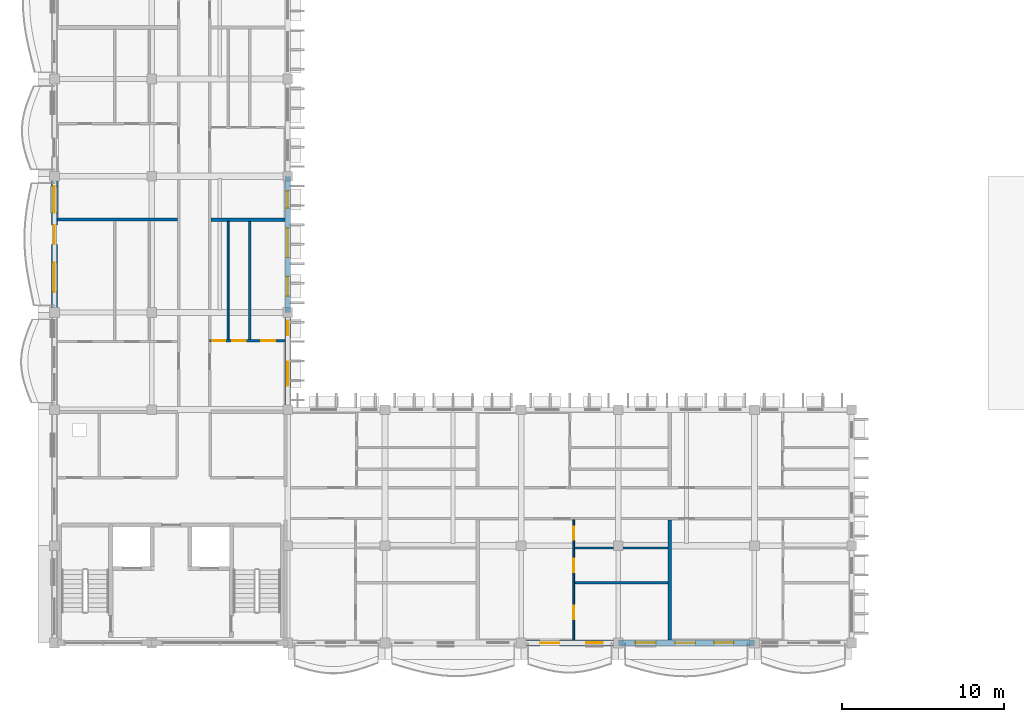
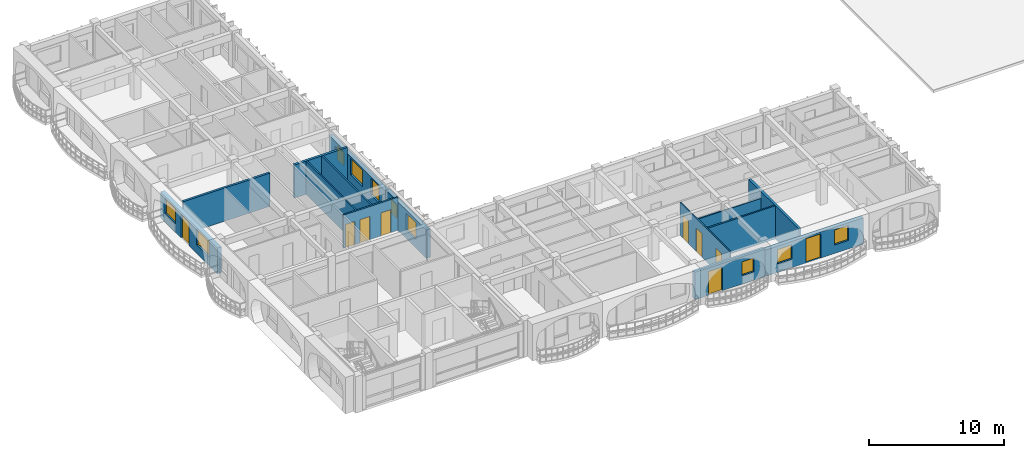
# One storey, part 43 of 101: 14 walls, 10 windows, 9 doors, 19 openings.
"""IFC4 building model written with IfcOpenShell, lengths in metres."""

import ifcopenshell
import ifcopenshell.guid

model = None  # the IFC model being written
_history = None  # IfcOwnerHistory: only IFC2X3 demands one
_inside = {}  # id of a spatial element -> (the spatial element, [elements in it])
_under = {}  # id of a project, library or spatial element -> (it, [spatial elements below it])
_declared = {}  # id of a project -> (the project, [libraries it declares])
_typed = {}  # id of a type object -> (the type object, [elements of that type])
_made_of = {}  # id of a material, layer set ... -> (it, [elements and type objects made of it])


def new_model(schema):
    """Start an empty IFC model of exactly this schema.

    Asked for "IFC4X3", IfcOpenShell would pick the latest addendum, in which some entities
    have other attributes; the version numbers below select the first issue.
    IFC2X3 requires an IfcOwnerHistory on every rooted entity: one is made here for all.
    """
    global model, _history
    if schema == "IFC4X3":
        model = ifcopenshell.file(schema_version=(4, 3, 0, 0))
    else:
        model = ifcopenshell.file(schema=schema)
    _inside.clear()
    _under.clear()
    _declared.clear()
    _typed.clear()
    _made_of.clear()
    _history = None
    if model.schema == "IFC2X3":
        org = make("IfcOrganization", Name="unknown")
        user = make(
            "IfcPersonAndOrganization",
            ThePerson=make("IfcPerson", FamilyName="unknown"),
            TheOrganization=org,
        )
        app = make(
            "IfcApplication",
            ApplicationDeveloper=org,
            Version="unknown",
            ApplicationFullName="unknown",
            ApplicationIdentifier="unknown",
        )
        _history = make(
            "IfcOwnerHistory",
            OwningUser=user,
            OwningApplication=app,
            ChangeAction="ADDED",
            CreationDate=0,
        )
    return model


def make(cls, **values):
    """One entity of the class cls with the attributes given. An attribute that is None is left unset."""
    return model.create_entity(
        cls, **{name: value for name, value in values.items() if value is not None}
    )


def rooted(cls, **values):
    """An entity with a GlobalId (a new one), such as an element, a storey or a relation."""
    return make(cls, GlobalId=ifcopenshell.guid.new(), OwnerHistory=_history, **values)


def si_unit(unit_type, name, prefix=None):
    """IfcSIUnit, for example si_unit("LENGTHUNIT", "METRE", prefix="MILLI")."""
    return make("IfcSIUnit", UnitType=unit_type, Prefix=prefix, Name=name)


def assignment(units):
    """IfcUnitAssignment: the units of a project."""
    return None if units is None else make("IfcUnitAssignment", Units=units)


def point(xyz):
    """IfcCartesianPoint."""
    return None if xyz is None else make("IfcCartesianPoint", Coordinates=xyz)


def direction(xyz):
    """IfcDirection."""
    return None if xyz is None else make("IfcDirection", DirectionRatios=xyz)


def frame(location, z_axis=None, x_axis=None):
    """IfcAxis2Placement3D, a coordinate frame: its origin and axes. An axis left out is left unset."""
    return make(
        "IfcAxis2Placement3D",
        Location=point(location),
        Axis=direction(z_axis),
        RefDirection=direction(x_axis),
    )


def frame_2d(location, x_axis=None):
    """IfcAxis2Placement2D, a coordinate frame in the plane: its origin and x axis."""
    return make(
        "IfcAxis2Placement2D", Location=point(location), RefDirection=direction(x_axis)
    )


def origin():
    """The frame at (0, 0, 0) with its axes left unset."""
    return frame((0.0, 0.0, 0.0))


def place(relative_to, where):
    """IfcLocalPlacement: puts the frame where relative to a parent placement (None: the world)."""
    return make(
        "IfcLocalPlacement", PlacementRelTo=relative_to, RelativePlacement=where
    )


def context(
    kind, dimensions, precision=None, world=None, true_north=None, identifier=None
):
    """IfcGeometricRepresentationContext, for example the 3D "Model" context."""
    return make(
        "IfcGeometricRepresentationContext",
        ContextIdentifier=identifier,
        ContextType=kind,
        CoordinateSpaceDimension=dimensions,
        Precision=precision,
        WorldCoordinateSystem=world,
        TrueNorth=true_north,
    )


def subcontext(parent, identifier, kind, view, scale=None):
    """IfcGeometricRepresentationSubContext, for example "Body" below "Model"."""
    return make(
        "IfcGeometricRepresentationSubContext",
        ContextIdentifier=identifier,
        ContextType=kind,
        ParentContext=parent,
        TargetScale=scale,
        TargetView=view,
    )


def project(units=None, contexts=None):
    """IfcProject with its units and contexts."""
    return rooted(
        "IfcProject",
        Name="project",
        RepresentationContexts=contexts,
        UnitsInContext=assignment(units),
    )


def spatial(cls, under=None, at=None, **own):
    """A site, building, storey or space (cls), placed at a placement, below another one or the project."""
    s = rooted(cls, ObjectPlacement=at, **own)
    if under is not None:
        _under.setdefault(under.id(), (under, []))[1].append(s)
    return s


def profile(cls, at=None, kind="AREA", **sizes):
    """A parametric profile (cls). Its sizes go by their IFC names, for example OverallWidth=200.0."""
    return make(cls, ProfileType=kind, Position=at, **sizes)


def rectangle(**sizes):
    """IfcRectangleProfileDef."""
    return profile("IfcRectangleProfileDef", **sizes)


def extrude(swept, where, along, depth):
    """IfcExtrudedAreaSolid: the profile swept, set in the frame where, extruded along a direction by depth."""
    return make(
        "IfcExtrudedAreaSolid",
        SweptArea=swept,
        Position=where,
        ExtrudedDirection=direction(along),
        Depth=depth,
    )


def shape(context_of_items, identifier, shape_type, items):
    """IfcShapeRepresentation: the items that make up one representation, for example the "Body"."""
    return make(
        "IfcShapeRepresentation",
        ContextOfItems=context_of_items,
        RepresentationIdentifier=identifier,
        RepresentationType=shape_type,
        Items=items,
    )


def material(Name=None, Category=None):
    """IfcMaterial."""
    return make("IfcMaterial", Name=Name, Category=Category)


def layer(
    of_material, thickness, ventilated=None, Name=None, Category=None, Priority=None
):
    """IfcMaterialLayer: one layer of a wall or slab, of a material (None: an air gap)."""
    return make(
        "IfcMaterialLayer",
        Material=of_material,
        LayerThickness=thickness,
        IsVentilated=ventilated,
        Name=Name,
        Category=Category,
        Priority=Priority,
    )


def layer_set(layers, Name=None):
    """IfcMaterialLayerSet."""
    return make("IfcMaterialLayerSet", MaterialLayers=layers, LayerSetName=Name)


def made_of(thing, what):
    """Note that an element or type object is made of a material, layer set ...; save() writes the relation."""
    if what is not None:
        _made_of.setdefault(what.id(), (what, []))[1].append(thing)
    return thing


def type_object(cls, material=None, **own):
    """A type object (cls), such as IfcWallType, which elements share."""
    return made_of(rooted(cls, **own), material)


def element(
    cls,
    number,
    at=None,
    inside=None,
    cuts=None,
    type_object=None,
    material=None,
    context=None,
    identifier="Body",
    shape_type=None,
    held_by="IfcProductDefinitionShape",
    body=None,
    shapes=None,
    **own,
):
    """One element of the class cls, such as IfcWall. Its Tag is "e" and its number.

    at: its placement. inside: the storey or other place that contains it. cuts: it is an
    opening in that element (IfcRelVoidsElement). A single representation is given by context,
    identifier, shape_type and body (its items); several are given by shapes. held_by: the class
    of the entity that holds the representations. save() writes the other relations.
    """
    e = rooted(cls, Tag="e%d" % number, ObjectPlacement=at, **own)
    if body is not None:
        shapes = [shape(context, identifier, shape_type, body)]
    if shapes is not None:
        e.Representation = make(held_by, Representations=shapes)
    if inside is not None:
        _inside.setdefault(inside.id(), (inside, []))[1].append(e)
    if cuts is not None:
        rooted(
            "IfcRelVoidsElement", RelatingBuildingElement=cuts, RelatedOpeningElement=e
        )
    if type_object is not None:
        _typed.setdefault(type_object.id(), (type_object, []))[1].append(e)
    return made_of(e, material)


def fill(opening, filler):
    """IfcRelFillsElement: the door or window that sits in an opening."""
    return rooted(
        "IfcRelFillsElement",
        RelatingOpeningElement=opening,
        RelatedBuildingElement=filler,
    )


def aggregate(whole, parts):
    """IfcRelAggregates: a whole, such as a stair, and the parts it consists of."""
    return rooted("IfcRelAggregates", RelatingObject=whole, RelatedObjects=parts)


def save(model, path):
    """Write the relations noted so far, then the file.

    IfcRelAggregates (storeys below a building ...), IfcRelContainedInSpatialStructure (elements
    in a storey), IfcRelDefinesByType, IfcRelAssociatesMaterial and IfcRelDeclares: one each for
    every whole, place, type object, material and project.
    """
    for whole, parts in _under.values():
        aggregate(whole, parts)
    for where, things in _inside.values():
        rooted(
            "IfcRelContainedInSpatialStructure",
            RelatedElements=things,
            RelatingStructure=where,
        )
    for kind, things in _typed.values():
        rooted("IfcRelDefinesByType", RelatedObjects=things, RelatingType=kind)
    for what, things in _made_of.values():
        rooted("IfcRelAssociatesMaterial", RelatedObjects=things, RelatingMaterial=what)
    for by, libraries in _declared.values():
        rooted("IfcRelDeclares", RelatingContext=by, RelatedDefinitions=libraries)
    model.write(path)


model = new_model("IFC4")

# Units and contexts
model_context = context("Model", 3, precision=1e-05, world=origin(), true_north=direction((0.0, 1.0)))
body_context = subcontext(model_context, "Body", "Model", "MODEL_VIEW")
ifc_project = project(units=[si_unit("LENGTHUNIT", "METRE"), si_unit("AREAUNIT", "SQUARE_METRE"), si_unit("VOLUMEUNIT", "CUBIC_METRE"), si_unit("PLANEANGLEUNIT", "RADIAN"), si_unit("MASSUNIT", "GRAM", prefix="KILO"), si_unit("THERMODYNAMICTEMPERATUREUNIT", "KELVIN")], contexts=[model_context])

# Site, building, storey
site_placement = place(None, origin())
site = spatial("IfcSite", under=ifc_project, at=site_placement, CompositionType="ELEMENT")
building_placement = place(site_placement, origin())
building = spatial("IfcBuilding", under=site, at=building_placement, Name="Thalorik Housing Commons", CompositionType="ELEMENT")
storey_placement = place(building_placement, frame((0.0, 0.0, 8.10009765625)))
storey = spatial("IfcBuildingStorey", under=building, at=storey_placement, Name="L02", CompositionType="ELEMENT", Elevation=8.10009765625)

# Wall, openings, windows
ifc_material_1 = material(Name="White precast concrete C40/50", Category="concrete")
ifc_layer_1 = layer(ifc_material_1, 0.35009765625, Name="White precast concrete C40/50", Category="concrete")
ifc_layer_set_1 = layer_set([ifc_layer_1], Name="White precast concrete C40/50")
wall_type_1 = type_object("IfcWallType", Name="ARC-WAL-EXT-350", PredefinedType="STANDARD", material=ifc_layer_set_1)
wall_1_placement = place(storey_placement, frame((22.800048828125, 22.800048828125, 0.0), z_axis=(0.0, 0.0, 1.0), x_axis=(0.0, 1.0, 0.0)))
wall_1 = element("IfcWall", 1, at=wall_1_placement, inside=storey, type_object=wall_type_1, Name="L02 Exterior Wall WAL-EXT-L02-C-0877", PredefinedType="STANDARD", context=body_context, shape_type="SweptSolid", body=[
    extrude(rectangle(XDim=6.0, YDim=0.35009765625, at=frame_2d((3.0, 0.0))), origin(), (0.0, 0.0, 1.0), 2.574951171875),
])
opening_1_placement = place(wall_1_placement, frame((1.4814453125, 0.0, 0.780029296875)))
opening_1 = element("IfcOpeningElement", 2, at=opening_1_placement, cuts=wall_1, Name="Opening W-51", PredefinedType="OPENING", context=body_context, shape_type="SweptSolid", body=[
    extrude(rectangle(XDim=1.47998046875, YDim=1.52001953125, at=frame_2d((0.739990234375, 0.760009765625))), frame((0.0, 0.18505859375, 0.0), z_axis=(0.0, -1.0, 0.0), x_axis=(1.0, 0.0, 0.0)), (0.0, 0.0, 1.0), 0.3701171875),
])
opening_2_placement = place(wall_1_placement, frame((4.581298828125, 0.0, 0.780029296875)))
opening_2 = element("IfcOpeningElement", 3, at=opening_2_placement, cuts=wall_1, Name="Opening W-01", PredefinedType="OPENING", context=body_context, shape_type="SweptSolid", body=[
    extrude(rectangle(XDim=0.89990234375, YDim=1.199951171875, at=frame_2d((0.449951171875, 0.60009765625))), frame((0.0, 0.18505859375, 0.0), z_axis=(0.0, -1.0, 0.0), x_axis=(1.0, 0.0, 0.0)), (0.0, 0.0, 1.0), 0.3701171875),
])
ifc_material_2 = material(Name="Anodised aluminium and solar-control low-E glass", Category="aluminium")
window_type_1 = type_object("IfcWindowType", Name="ARC-WIN-01", PartitioningType="SINGLE_PANEL", PredefinedType="WINDOW", material=ifc_material_2)
window_1_placement = place(opening_2_placement, origin())
window_1 = element("IfcWindow", 4, at=window_1_placement, inside=storey, type_object=window_type_1, Name="L02 Facade Window 1620", OverallHeight=1.199951171875, OverallWidth=0.89990234375, PartitioningType="SINGLE_PANEL", PredefinedType="WINDOW", context=body_context, shape_type="SweptSolid", body=[
    extrude(rectangle(XDim=0.89990234375, YDim=1.199951171875, at=frame_2d((0.449951171875, 0.60009765625))), frame((0.0, 0.030029296875, 0.0), z_axis=(0.0, -1.0, 0.0), x_axis=(1.0, 0.0, 0.0)), (0.0, 0.0, 1.0), 0.06005859375),
])
fill(opening_2, window_1)
window_type_2 = type_object("IfcWindowType", Name="ARC-WIN-51", PartitioningType="SINGLE_PANEL", PredefinedType="WINDOW", material=ifc_material_2)
window_2_placement = place(opening_1_placement, origin())
window_2 = element("IfcWindow", 5, at=window_2_placement, inside=storey, type_object=window_type_2, Name="L02 Facade Window 1619", OverallHeight=1.52001953125, OverallWidth=1.47998046875, PartitioningType="SINGLE_PANEL", PredefinedType="WINDOW", context=body_context, shape_type="SweptSolid", body=[
    extrude(rectangle(XDim=1.47998046875, YDim=1.52001953125, at=frame_2d((0.739990234375, 0.760009765625))), frame((0.0, 0.030029296875, 0.0), z_axis=(0.0, -1.0, 0.0), x_axis=(1.0, 0.0, 0.0)), (0.0, 0.0, 1.0), 0.06005859375),
])
fill(opening_1, window_2)

wall_2_placement = place(storey_placement, frame((22.800048828125, 28.800048828125, 0.0), z_axis=(0.0, 0.0, 1.0), x_axis=(0.0, 1.0, 0.0)))
wall_2 = element("IfcWall", 6, at=wall_2_placement, inside=storey, type_object=wall_type_1, Name="L02 Exterior Wall WAL-EXT-L02-C-0878", PredefinedType="STANDARD", context=body_context, shape_type="SweptSolid", body=[
    extrude(rectangle(XDim=8.39990234375, YDim=0.35009765625, at=frame_2d((4.199951171875, 0.0))), origin(), (0.0, 0.0, 1.0), 2.4248046875),
])
opening_3_placement = place(wall_2_placement, frame((1.007568359375, 0.0, 0.780029296875)))
opening_3 = element("IfcOpeningElement", 7, at=opening_3_placement, cuts=wall_2, Name="Opening W-05", PredefinedType="OPENING", context=body_context, shape_type="SweptSolid", body=[
    extrude(rectangle(XDim=1.199951171875, YDim=1.5, at=frame_2d((0.60009765625, 0.75))), frame((0.0, 0.18505859375, 0.0), z_axis=(0.0, -1.0, 0.0), x_axis=(1.0, 0.0, 0.0)), (0.0, 0.0, 1.0), 0.3701171875),
])
opening_4_placement = place(wall_2_placement, frame((3.402587890625, 0.0, 0.780029296875)))
opening_4 = element("IfcOpeningElement", 8, at=opening_4_placement, cuts=wall_2, Name="Opening W-18", PredefinedType="OPENING", context=body_context, shape_type="SweptSolid", body=[
    extrude(rectangle(XDim=1.800048828125, YDim=1.5, at=frame_2d((0.89990234375, 0.75))), frame((0.0, 0.18505859375, 0.0), z_axis=(0.0, -1.0, 0.0), x_axis=(1.0, 0.0, 0.0)), (0.0, 0.0, 1.0), 0.3701171875),
])
opening_5_placement = place(wall_2_placement, frame((6.43994140625, 0.0, 0.780029296875)))
opening_5 = element("IfcOpeningElement", 9, at=opening_5_placement, cuts=wall_2, Name="Opening W-44", PredefinedType="OPENING", context=body_context, shape_type="SweptSolid", body=[
    extrude(rectangle(XDim=1.050048828125, YDim=1.199951171875, at=frame_2d((0.52490234375, 0.60009765625))), frame((0.0, 0.18505859375, 0.0), z_axis=(0.0, -1.0, 0.0), x_axis=(1.0, 0.0, 0.0)), (0.0, 0.0, 1.0), 0.3701171875),
])
window_type_3 = type_object("IfcWindowType", Name="ARC-WIN-05", PartitioningType="SINGLE_PANEL", PredefinedType="WINDOW", material=ifc_material_2)
window_3_placement = place(opening_3_placement, origin())
window_3 = element("IfcWindow", 10, at=window_3_placement, inside=storey, type_object=window_type_3, Name="L02 Facade Window 1621", OverallHeight=1.5, OverallWidth=1.199951171875, PartitioningType="SINGLE_PANEL", PredefinedType="WINDOW", context=body_context, shape_type="SweptSolid", body=[
    extrude(rectangle(XDim=1.199951171875, YDim=1.5, at=frame_2d((0.60009765625, 0.75))), frame((0.0, 0.030029296875, 0.0), z_axis=(0.0, -1.0, 0.0), x_axis=(1.0, 0.0, 0.0)), (0.0, 0.0, 1.0), 0.06005859375),
])
fill(opening_3, window_3)
window_type_4 = type_object("IfcWindowType", Name="ARC-WIN-18", PartitioningType="DOUBLE_PANEL_VERTICAL", PredefinedType="WINDOW", material=ifc_material_2)
window_4_placement = place(opening_4_placement, origin())
window_4 = element("IfcWindow", 11, at=window_4_placement, inside=storey, type_object=window_type_4, Name="L02 Facade Window 1622", OverallHeight=1.5, OverallWidth=1.800048828125, PartitioningType="DOUBLE_PANEL_VERTICAL", PredefinedType="WINDOW", context=body_context, shape_type="SweptSolid", body=[
    extrude(rectangle(XDim=1.800048828125, YDim=1.5, at=frame_2d((0.89990234375, 0.75))), frame((0.0, 0.030029296875, 0.0), z_axis=(0.0, -1.0, 0.0), x_axis=(1.0, 0.0, 0.0)), (0.0, 0.0, 1.0), 0.06005859375),
])
fill(opening_4, window_4)
window_type_5 = type_object("IfcWindowType", Name="ARC-WIN-44", PartitioningType="SINGLE_PANEL", PredefinedType="WINDOW", material=ifc_material_2)
window_5_placement = place(opening_5_placement, origin())
window_5 = element("IfcWindow", 12, at=window_5_placement, inside=storey, type_object=window_type_5, Name="L02 Facade Window 1623", OverallHeight=1.199951171875, OverallWidth=1.050048828125, PartitioningType="SINGLE_PANEL", PredefinedType="WINDOW", context=body_context, shape_type="SweptSolid", body=[
    extrude(rectangle(XDim=1.050048828125, YDim=1.199951171875, at=frame_2d((0.52490234375, 0.60009765625))), frame((0.0, 0.030029296875, 0.0), z_axis=(0.0, -1.0, 0.0), x_axis=(1.0, 0.0, 0.0)), (0.0, 0.0, 1.0), 0.06005859375),
])
fill(opening_5, window_5)

# Wall, openings, door, windows
wall_3_placement = place(storey_placement, frame((8.39990234375, 37.199951171875, 0.0), z_axis=(0.0, 0.0, 1.0), x_axis=(0.0, -1.0, 0.0)))
wall_3 = element("IfcWall", 13, at=wall_3_placement, inside=storey, type_object=wall_type_1, Name="L02 Exterior Wall WAL-EXT-L02-C-0887", PredefinedType="STANDARD", context=body_context, shape_type="SweptSolid", body=[
    extrude(rectangle(XDim=8.39990234375, YDim=0.35009765625, at=frame_2d((4.199951171875, 0.0))), origin(), (0.0, 0.0, 1.0), 2.344970703125),
])
opening_6_placement = place(wall_3_placement, frame((3.010009765625, 0.0, 0.0)))
opening_6 = element("IfcOpeningElement", 14, at=opening_6_placement, cuts=wall_3, Name="Opening ED-0291", PredefinedType="OPENING", context=body_context, shape_type="SweptSolid", body=[
    extrude(rectangle(XDim=1.199951171875, YDim=2.14990234375, at=frame_2d((0.60009765625, 1.074951171875))), frame((0.0, 0.18505859375, 0.0), z_axis=(0.0, -1.0, 0.0), x_axis=(1.0, 0.0, 0.0)), (0.0, 0.0, 1.0), 0.3701171875),
])
opening_7_placement = place(wall_3_placement, frame((0.625, 0.0, 0.780029296875)))
opening_7 = element("IfcOpeningElement", 15, at=opening_7_placement, cuts=wall_3, Name="Opening W-54", PredefinedType="OPENING", context=body_context, shape_type="SweptSolid", body=[
    extrude(rectangle(XDim=1.6201171875, YDim=1.3798828125, at=frame_2d((0.81005859375, 0.68994140625))), frame((0.0, 0.18505859375, 0.0), z_axis=(0.0, -1.0, 0.0), x_axis=(1.0, 0.0, 0.0)), (0.0, 0.0, 1.0), 0.3701171875),
])
opening_8_placement = place(wall_3_placement, frame((5.324951171875, 0.0, 0.780029296875)))
opening_8 = element("IfcOpeningElement", 16, at=opening_8_placement, cuts=wall_3, Name="Opening W-58", PredefinedType="OPENING", context=body_context, shape_type="SweptSolid", body=[
    extrude(rectangle(XDim=1.820068359375, YDim=1.4599609375, at=frame_2d((0.91015625, 0.72998046875))), frame((0.0, 0.18505859375, 0.0), z_axis=(0.0, -1.0, 0.0), x_axis=(1.0, 0.0, 0.0)), (0.0, 0.0, 1.0), 0.3701171875),
])
ifc_material_3 = material(Name="Anodised aluminium and laminated safety glass", Category="aluminium")
door_type_1 = type_object("IfcDoorType", Name="ARC-DR-BAL-1200", OperationType="NOTDEFINED", PredefinedType="DOOR", material=ifc_material_3)
door_1_placement = place(opening_6_placement, frame((1.199951171875, 0.0, 0.0), z_axis=(0.0, 0.0, 1.0), x_axis=(-1.0, 0.0, 0.0)))
door_1 = element("IfcDoor", 17, at=door_1_placement, inside=storey, type_object=door_type_1, Name="L02 Block C Balcony Glazed Door", OperationType="SINGLE_SWING_RIGHT", OverallHeight=2.14990234375, OverallWidth=1.199951171875, PredefinedType="DOOR", context=body_context, shape_type="SweptSolid", body=[
    extrude(rectangle(XDim=1.199951171875, YDim=2.14990234375, at=frame_2d((0.60009765625, 1.074951171875))), frame((0.0, 0.02490234375, 0.0), z_axis=(0.0, -1.0, 0.0), x_axis=(1.0, 0.0, 0.0)), (0.0, 0.0, 1.0), 0.050048828125),
])
fill(opening_6, door_1)
window_type_6 = type_object("IfcWindowType", Name="ARC-WIN-54", PartitioningType="DOUBLE_PANEL_VERTICAL", PredefinedType="WINDOW", material=ifc_material_2)
window_6_placement = place(opening_7_placement, origin())
window_6 = element("IfcWindow", 18, at=window_6_placement, inside=storey, type_object=window_type_6, Name="L02 Facade Window 1641", OverallHeight=1.3798828125, OverallWidth=1.6201171875, PartitioningType="DOUBLE_PANEL_VERTICAL", PredefinedType="WINDOW", context=body_context, shape_type="SweptSolid", body=[
    extrude(rectangle(XDim=1.6201171875, YDim=1.3798828125, at=frame_2d((0.81005859375, 0.68994140625))), frame((0.0, 0.030029296875, 0.0), z_axis=(0.0, -1.0, 0.0), x_axis=(1.0, 0.0, 0.0)), (0.0, 0.0, 1.0), 0.06005859375),
])
fill(opening_7, window_6)
window_type_7 = type_object("IfcWindowType", Name="ARC-WIN-58", PartitioningType="DOUBLE_PANEL_VERTICAL", PredefinedType="WINDOW", material=ifc_material_2)
window_7_placement = place(opening_8_placement, origin())
window_7 = element("IfcWindow", 19, at=window_7_placement, inside=storey, type_object=window_type_7, Name="L02 Facade Window 1642", OverallHeight=1.4599609375, OverallWidth=1.820068359375, PartitioningType="DOUBLE_PANEL_VERTICAL", PredefinedType="WINDOW", context=body_context, shape_type="SweptSolid", body=[
    extrude(rectangle(XDim=1.820068359375, YDim=1.4599609375, at=frame_2d((0.91015625, 0.72998046875))), frame((0.0, 0.030029296875, 0.0), z_axis=(0.0, -1.0, 0.0), x_axis=(1.0, 0.0, 0.0)), (0.0, 0.0, 1.0), 0.06005859375),
])
fill(opening_8, window_7)

# Wall, openings, door, window
wall_4_placement = place(storey_placement, frame((37.199951171875, 8.39990234375, 0.0), z_axis=(0.0, 0.0, 1.0), x_axis=(1.0, 0.0, 0.0)))
wall_4 = element("IfcWall", 20, at=wall_4_placement, inside=storey, type_object=wall_type_1, Name="L02 Exterior Wall WAL-EXT-L02-C-0895", PredefinedType="STANDARD", context=body_context, shape_type="SweptSolid", body=[
    extrude(rectangle(XDim=6.0, YDim=0.35009765625, at=frame_2d((3.0, 0.0))), origin(), (0.0, 0.0, 1.0), 2.474853515625),
])
opening_9_placement = place(wall_4_placement, frame((1.169921875, 0.0, 0.0)))
opening_9 = element("IfcOpeningElement", 21, at=opening_9_placement, cuts=wall_4, Name="Opening ED-0295", PredefinedType="OPENING", context=body_context, shape_type="SweptSolid", body=[
    extrude(rectangle(XDim=1.199951171875, YDim=2.14990234375, at=frame_2d((0.60009765625, 1.074951171875))), frame((0.0, 0.18505859375, 0.0), z_axis=(0.0, -1.0, 0.0), x_axis=(1.0, 0.0, 0.0)), (0.0, 0.0, 1.0), 0.3701171875),
])
opening_10_placement = place(wall_4_placement, frame((4.030029296875, 0.0, 0.780029296875)))
opening_10 = element("IfcOpeningElement", 22, at=opening_10_placement, cuts=wall_4, Name="Opening W-02", PredefinedType="OPENING", context=body_context, shape_type="SweptSolid", body=[
    extrude(rectangle(XDim=1.0, YDim=1.25, at=frame_2d((0.5, 0.625))), frame((0.0, 0.18505859375, 0.0), z_axis=(0.0, -1.0, 0.0), x_axis=(1.0, 0.0, 0.0)), (0.0, 0.0, 1.0), 0.3701171875),
])
door_2_placement = place(opening_9_placement, frame((1.199951171875, 0.0, 0.0), z_axis=(0.0, 0.0, 1.0), x_axis=(-1.0, 0.0, 0.0)))
door_2 = element("IfcDoor", 23, at=door_2_placement, inside=storey, type_object=door_type_1, Name="L02 Block C Balcony Glazed Door", OperationType="SINGLE_SWING_RIGHT", OverallHeight=2.14990234375, OverallWidth=1.199951171875, PredefinedType="DOOR", context=body_context, shape_type="SweptSolid", body=[
    extrude(rectangle(XDim=1.199951171875, YDim=2.14990234375, at=frame_2d((0.60009765625, 1.074951171875))), frame((0.0, 0.02490234375, 0.0), z_axis=(0.0, -1.0, 0.0), x_axis=(1.0, 0.0, 0.0)), (0.0, 0.0, 1.0), 0.050048828125),
])
fill(opening_9, door_2)
window_type_8 = type_object("IfcWindowType", Name="ARC-WIN-02", PartitioningType="SINGLE_PANEL", PredefinedType="WINDOW", material=ifc_material_2)
window_8_placement = place(opening_10_placement, origin())
window_8 = element("IfcWindow", 24, at=window_8_placement, inside=storey, type_object=window_type_8, Name="L02 Facade Window 1653", OverallHeight=1.25, OverallWidth=1.0, PartitioningType="SINGLE_PANEL", PredefinedType="WINDOW", context=body_context, shape_type="SweptSolid", body=[
    extrude(rectangle(XDim=1.0, YDim=1.25, at=frame_2d((0.5, 0.625))), frame((0.0, 0.030029296875, 0.0), z_axis=(0.0, -1.0, 0.0), x_axis=(1.0, 0.0, 0.0)), (0.0, 0.0, 1.0), 0.06005859375),
])
fill(opening_10, window_8)

# Wall, openings, door, windows
wall_5_placement = place(storey_placement, frame((43.199951171875, 8.39990234375, 0.0), z_axis=(0.0, 0.0, 1.0), x_axis=(1.0, 0.0, 0.0)))
wall_5 = element("IfcWall", 25, at=wall_5_placement, inside=storey, type_object=wall_type_1, Name="L02 Exterior Wall WAL-EXT-L02-C-0896", PredefinedType="STANDARD", context=body_context, shape_type="SweptSolid", body=[
    extrude(rectangle(XDim=8.400146484375, YDim=0.35009765625, at=frame_2d((4.2001953125, 0.0))), origin(), (0.0, 0.0, 1.0), 2.375),
])
opening_11_placement = place(wall_5_placement, frame((3.510009765625, 0.0, 0.0)))
opening_11 = element("IfcOpeningElement", 26, at=opening_11_placement, cuts=wall_5, Name="Opening ED-0296", PredefinedType="OPENING", context=body_context, shape_type="SweptSolid", body=[
    extrude(rectangle(XDim=1.25, YDim=2.199951171875, at=frame_2d((0.625, 1.10009765625))), frame((0.0, 0.18505859375, 0.0), z_axis=(0.0, -1.0, 0.0), x_axis=(1.0, 0.0, 0.0)), (0.0, 0.0, 1.0), 0.3701171875),
])
opening_12_placement = place(wall_5_placement, frame((1.06005859375, 0.0, 0.780029296875)))
opening_12 = element("IfcOpeningElement", 27, at=opening_12_placement, cuts=wall_5, Name="Opening W-46", PredefinedType="OPENING", context=body_context, shape_type="SweptSolid", body=[
    extrude(rectangle(XDim=1.25, YDim=1.300048828125, at=frame_2d((0.625, 0.64990234375))), frame((0.0, 0.18505859375, 0.0), z_axis=(0.0, -1.0, 0.0), x_axis=(1.0, 0.0, 0.0)), (0.0, 0.0, 1.0), 0.3701171875),
])
opening_13_placement = place(wall_5_placement, frame((5.909912109375, 0.0, 0.780029296875)))
opening_13 = element("IfcOpeningElement", 28, at=opening_13_placement, cuts=wall_5, Name="Opening W-04", PredefinedType="OPENING", context=body_context, shape_type="SweptSolid", body=[
    extrude(rectangle(XDim=1.199951171875, YDim=1.35009765625, at=frame_2d((0.60009765625, 0.675048828125))), frame((0.0, 0.18505859375, 0.0), z_axis=(0.0, -1.0, 0.0), x_axis=(1.0, 0.0, 0.0)), (0.0, 0.0, 1.0), 0.3701171875),
])
door_type_2 = type_object("IfcDoorType", Name="ARC-DR-BAL-1250", OperationType="NOTDEFINED", PredefinedType="DOOR", material=ifc_material_3)
door_3_placement = place(opening_11_placement, frame((1.25, 0.0, 0.0), z_axis=(0.0, 0.0, 1.0), x_axis=(-1.0, 0.0, 0.0)))
door_3 = element("IfcDoor", 29, at=door_3_placement, inside=storey, type_object=door_type_2, Name="L02 Block C Balcony Glazed Door", OperationType="SINGLE_SWING_LEFT", OverallHeight=2.199951171875, OverallWidth=1.25, PredefinedType="DOOR", context=body_context, shape_type="SweptSolid", body=[
    extrude(rectangle(XDim=1.25, YDim=2.199951171875, at=frame_2d((0.625, 1.10009765625))), frame((0.0, 0.02490234375, 0.0), z_axis=(0.0, -1.0, 0.0), x_axis=(1.0, 0.0, 0.0)), (0.0, 0.0, 1.0), 0.050048828125),
])
fill(opening_11, door_3)
window_type_9 = type_object("IfcWindowType", Name="ARC-WIN-04", PartitioningType="SINGLE_PANEL", PredefinedType="WINDOW", material=ifc_material_2)
window_9_placement = place(opening_13_placement, origin())
window_9 = element("IfcWindow", 30, at=window_9_placement, inside=storey, type_object=window_type_9, Name="L02 Facade Window 1655", OverallHeight=1.35009765625, OverallWidth=1.199951171875, PartitioningType="SINGLE_PANEL", PredefinedType="WINDOW", context=body_context, shape_type="SweptSolid", body=[
    extrude(rectangle(XDim=1.199951171875, YDim=1.35009765625, at=frame_2d((0.60009765625, 0.675048828125))), frame((0.0, 0.030029296875, 0.0), z_axis=(0.0, -1.0, 0.0), x_axis=(1.0, 0.0, 0.0)), (0.0, 0.0, 1.0), 0.06005859375),
])
fill(opening_13, window_9)
window_type_10 = type_object("IfcWindowType", Name="ARC-WIN-46", PartitioningType="SINGLE_PANEL", PredefinedType="WINDOW", material=ifc_material_2)
window_10_placement = place(opening_12_placement, origin())
window_10 = element("IfcWindow", 31, at=window_10_placement, inside=storey, type_object=window_type_10, Name="L02 Facade Window 1654", OverallHeight=1.300048828125, OverallWidth=1.25, PartitioningType="SINGLE_PANEL", PredefinedType="WINDOW", context=body_context, shape_type="SweptSolid", body=[
    extrude(rectangle(XDim=1.25, YDim=1.300048828125, at=frame_2d((0.625, 0.64990234375))), frame((0.0, 0.030029296875, 0.0), z_axis=(0.0, -1.0, 0.0), x_axis=(1.0, 0.0, 0.0)), (0.0, 0.0, 1.0), 0.06005859375),
])
fill(opening_12, window_10)

# Wall, openings, doors
ifc_material_4 = material(Name="Gypsum light stud partition", Category="masonry")
ifc_layer_2 = layer(ifc_material_4, 0.10009765625, Name="Gypsum light stud partition", Category="masonry")
ifc_layer_set_2 = layer_set([ifc_layer_2], Name="Gypsum light stud partition")
wall_type_2 = type_object("IfcWallType", Name="ARC-WAL-PART-100", PredefinedType="PARTITIONING", material=ifc_layer_set_2)
wall_6_placement = place(storey_placement, frame((40.449951171875, 8.576904296875, 0.0), z_axis=(0.0, 0.0, 1.0), x_axis=(0.0, 1.0, 0.0)))
wall_6 = element("IfcWall", 32, at=wall_6_placement, inside=storey, type_object=wall_type_2, Name="L02 Unit 2 Spine Partition", PredefinedType="PARTITIONING", context=body_context, shape_type="SweptSolid", body=[
    extrude(rectangle(XDim=7.426025390625, YDim=0.10009765625, at=frame_2d((3.712890625, 0.0))), origin(), (0.0, 0.0, 1.0), 3.0),
])
opening_14_placement = place(wall_6_placement, frame((1.286865234375, 0.0, 0.0)))
opening_14 = element("IfcOpeningElement", 33, at=opening_14_placement, cuts=wall_6, Name="Opening ID-1632", PredefinedType="OPENING", context=body_context, shape_type="SweptSolid", body=[
    extrude(rectangle(XDim=0.820068359375, YDim=2.080078125, at=frame_2d((0.41015625, 1.0400390625))), frame((0.0, 0.06005859375, 0.0), z_axis=(0.0, -1.0, 0.0), x_axis=(1.0, 0.0, 0.0)), (0.0, 0.0, 1.0), 0.1201171875),
])
opening_15_placement = place(wall_6_placement, frame((4.182373046875, 0.0, 0.0)))
opening_15 = element("IfcOpeningElement", 34, at=opening_15_placement, cuts=wall_6, Name="Opening ID-1633", PredefinedType="OPENING", context=body_context, shape_type="SweptSolid", body=[
    extrude(rectangle(XDim=0.85009765625, YDim=2.10009765625, at=frame_2d((0.425048828125, 1.050048828125))), frame((0.0, 0.06005859375, 0.0), z_axis=(0.0, -1.0, 0.0), x_axis=(1.0, 0.0, 0.0)), (0.0, 0.0, 1.0), 0.1201171875),
])
opening_16_placement = place(wall_6_placement, frame((6.188720703125, 0.0, 0.0)))
opening_16 = element("IfcOpeningElement", 35, at=opening_16_placement, cuts=wall_6, Name="Opening ID-1634", PredefinedType="OPENING", context=body_context, shape_type="SweptSolid", body=[
    extrude(rectangle(XDim=0.800048828125, YDim=2.10009765625, at=frame_2d((0.39990234375, 1.050048828125))), frame((0.0, 0.06005859375, 0.0), z_axis=(0.0, -1.0, 0.0), x_axis=(1.0, 0.0, 0.0)), (0.0, 0.0, 1.0), 0.1201171875),
])
ifc_material_5 = material(Name="Moisture-resistant timber", Category="wood")
door_type_3 = type_object("IfcDoorType", Name="ARC-DR-INT-800", OperationType="NOTDEFINED", PredefinedType="DOOR", material=ifc_material_5)
door_4_placement = place(opening_16_placement, origin())
door_4 = element("IfcDoor", 36, at=door_4_placement, inside=storey, type_object=door_type_3, Name="L02 Flat Bathroom Door", OperationType="SINGLE_SWING_LEFT", OverallHeight=2.10009765625, OverallWidth=0.800048828125, PredefinedType="DOOR", context=body_context, shape_type="SweptSolid", body=[
    extrude(rectangle(XDim=0.800048828125, YDim=2.10009765625, at=frame_2d((0.39990234375, 1.050048828125))), frame((0.0, 0.02490234375, 0.0), z_axis=(0.0, -1.0, 0.0), x_axis=(1.0, 0.0, 0.0)), (0.0, 0.0, 1.0), 0.050048828125),
])
fill(opening_16, door_4)
ifc_material_6 = material(Name="Engineered oak timber", Category="wood")
door_type_4 = type_object("IfcDoorType", Name="ARC-DR-INT-820", OperationType="NOTDEFINED", PredefinedType="DOOR", material=ifc_material_6)
door_5_placement = place(opening_14_placement, origin())
door_5 = element("IfcDoor", 37, at=door_5_placement, inside=storey, type_object=door_type_4, Name="L02 Master Bedroom Door", OperationType="SINGLE_SWING_LEFT", OverallHeight=2.080078125, OverallWidth=0.820068359375, PredefinedType="DOOR", context=body_context, shape_type="SweptSolid", body=[
    extrude(rectangle(XDim=0.820068359375, YDim=2.080078125, at=frame_2d((0.41015625, 1.0400390625))), frame((0.0, 0.02490234375, 0.0), z_axis=(0.0, -1.0, 0.0), x_axis=(1.0, 0.0, 0.0)), (0.0, 0.0, 1.0), 0.050048828125),
])
fill(opening_14, door_5)
door_type_5 = type_object("IfcDoorType", Name="ARC-DR-INT-850", OperationType="NOTDEFINED", PredefinedType="DOOR", material=ifc_material_6)
door_6_placement = place(opening_15_placement, origin())
door_6 = element("IfcDoor", 38, at=door_6_placement, inside=storey, type_object=door_type_5, Name="L02 Eat-In Kitchen Door", OperationType="SINGLE_SWING_RIGHT", OverallHeight=2.10009765625, OverallWidth=0.85009765625, PredefinedType="DOOR", context=body_context, shape_type="SweptSolid", body=[
    extrude(rectangle(XDim=0.85009765625, YDim=2.10009765625, at=frame_2d((0.425048828125, 1.050048828125))), frame((0.0, 0.02490234375, 0.0), z_axis=(0.0, -1.0, 0.0), x_axis=(1.0, 0.0, 0.0)), (0.0, 0.0, 1.0), 0.050048828125),
])
fill(opening_15, door_6)

# Walls
ifc_material_7 = material(Name="Gypsum moisture-resistant partition", Category="masonry")
ifc_layer_3 = layer(ifc_material_7, 0.114990234375, Name="Gypsum moisture-resistant partition", Category="masonry")
ifc_layer_set_3 = layer_set([ifc_layer_3], Name="Gypsum moisture-resistant partition")
wall_type_3 = type_object("IfcWallType", Name="ARC-WAL-PART-115", PredefinedType="PARTITIONING", material=ifc_layer_set_3)
wall_7_placement = place(storey_placement, frame((19.122314453125, 27.124755859375, 0.0), z_axis=(0.0, 0.0, 1.0), x_axis=(0.0, 1.0, 0.0)))
element("IfcWall", 39, at=wall_7_placement, inside=storey, type_object=wall_type_3, Name="L02 Unit 1B Wet Wall", PredefinedType="PARTITIONING", context=body_context, shape_type="SweptSolid", body=[
    extrude(rectangle(XDim=7.293212890625, YDim=0.114990234375, at=frame_2d((3.646484375, 0.0))), origin(), (0.0, 0.0, 1.0), 3.0),
])
ifc_material_8 = material(Name="Gypsum acoustic stud partition", Category="masonry")
ifc_layer_4 = layer(ifc_material_8, 0.125, Name="Gypsum acoustic stud partition", Category="masonry")
ifc_layer_set_4 = layer_set([ifc_layer_4], Name="Gypsum acoustic stud partition")
wall_type_4 = type_object("IfcWallType", Name="ARC-WAL-PART-125", PredefinedType="PARTITIONING", material=ifc_layer_set_4)
wall_8_placement = place(storey_placement, frame((20.455078125, 27.124755859375, 0.0), z_axis=(0.0, 0.0, 1.0), x_axis=(0.0, 1.0, 0.0)))
element("IfcWall", 40, at=wall_8_placement, inside=storey, type_object=wall_type_4, Name="L02 Unit 1B Bedroom Partition", PredefinedType="PARTITIONING", context=body_context, shape_type="SweptSolid", body=[
    extrude(rectangle(XDim=7.293212890625, YDim=0.125, at=frame_2d((3.646484375, 0.0))), origin(), (0.0, 0.0, 1.0), 3.0),
])
wall_9_placement = place(storey_placement, frame((40.501953125, 14.251220703125, 0.0), z_axis=(0.0, 0.0, 1.0), x_axis=(1.0, 0.0, 0.0)))
element("IfcWall", 41, at=wall_9_placement, inside=storey, type_object=wall_type_4, Name="L02 Unit 2 Wet Wall", PredefinedType="PARTITIONING", context=body_context, shape_type="SweptSolid", body=[
    extrude(rectangle(XDim=5.776123046875, YDim=0.125, at=frame_2d((2.88818359375, 0.0))), origin(), (0.0, 0.0, 1.0), 2.375),
])

# Wall, openings, doors
ifc_material_9 = material(Name="Ceramic masonry partition wall", Category="masonry")
ifc_layer_5 = layer(ifc_material_9, 0.139892578125, Name="Ceramic masonry partition wall", Category="masonry")
ifc_layer_set_5 = layer_set([ifc_layer_5], Name="Ceramic masonry partition wall")
wall_type_5 = type_object("IfcWallType", Name="ARC-WAL-PART-140", PredefinedType="PARTITIONING", material=ifc_layer_set_5)
wall_10_placement = place(storey_placement, frame((17.97998046875, 27.052734375, 0.0), z_axis=(0.0, 0.0, 1.0), x_axis=(1.0, 0.0, 0.0)))
wall_10 = element("IfcWall", 42, at=wall_10_placement, inside=storey, type_object=wall_type_5, Name="L02 Unit 1B Spine Partition", PredefinedType="PARTITIONING", context=body_context, shape_type="SweptSolid", body=[
    extrude(rectangle(XDim=4.64306640625, YDim=0.139892578125, at=frame_2d((2.321533203125, 0.0))), origin(), (0.0, 0.0, 1.0), 3.0),
])
opening_17_placement = place(wall_10_placement, frame((0.171142578125, 0.0, 0.0)))
opening_17 = element("IfcOpeningElement", 43, at=opening_17_placement, cuts=wall_10, Name="Opening ID-1605", PredefinedType="OPENING", context=body_context, shape_type="SweptSolid", body=[
    extrude(rectangle(XDim=0.800048828125, YDim=2.10009765625, at=frame_2d((0.39990234375, 1.050048828125))), frame((0.0, 0.080078125, 0.0), z_axis=(0.0, -1.0, 0.0), x_axis=(1.0, 0.0, 0.0)), (0.0, 0.0, 1.0), 0.159912109375),
])
opening_18_placement = place(wall_10_placement, frame((1.3837890625, 0.0, 0.0)))
opening_18 = element("IfcOpeningElement", 44, at=opening_18_placement, cuts=wall_10, Name="Opening ID-1606", PredefinedType="OPENING", context=body_context, shape_type="SweptSolid", body=[
    extrude(rectangle(XDim=0.85009765625, YDim=2.10009765625, at=frame_2d((0.425048828125, 1.050048828125))), frame((0.0, 0.080078125, 0.0), z_axis=(0.0, -1.0, 0.0), x_axis=(1.0, 0.0, 0.0)), (0.0, 0.0, 1.0), 0.159912109375),
])
opening_19_placement = place(wall_10_placement, frame((3.192626953125, 0.0, 0.0)))
opening_19 = element("IfcOpeningElement", 45, at=opening_19_placement, cuts=wall_10, Name="Opening ID-1607", PredefinedType="OPENING", context=body_context, shape_type="SweptSolid", body=[
    extrude(rectangle(XDim=0.85009765625, YDim=2.10009765625, at=frame_2d((0.425048828125, 1.050048828125))), frame((0.0, 0.080078125, 0.0), z_axis=(0.0, -1.0, 0.0), x_axis=(1.0, 0.0, 0.0)), (0.0, 0.0, 1.0), 0.159912109375),
])
door_7_placement = place(opening_17_placement, origin())
door_7 = element("IfcDoor", 46, at=door_7_placement, inside=storey, type_object=door_type_3, Name="L02 Flat Bathroom Door", OperationType="SINGLE_SWING_RIGHT", OverallHeight=2.10009765625, OverallWidth=0.800048828125, PredefinedType="DOOR", context=body_context, shape_type="SweptSolid", body=[
    extrude(rectangle(XDim=0.800048828125, YDim=2.10009765625, at=frame_2d((0.39990234375, 1.050048828125))), frame((0.0, 0.02490234375, 0.0), z_axis=(0.0, -1.0, 0.0), x_axis=(1.0, 0.0, 0.0)), (0.0, 0.0, 1.0), 0.050048828125),
])
fill(opening_17, door_7)
door_8_placement = place(opening_18_placement, origin())
door_8 = element("IfcDoor", 47, at=door_8_placement, inside=storey, type_object=door_type_5, Name="L02 Galley Kitchen Door", OperationType="SINGLE_SWING_LEFT", OverallHeight=2.10009765625, OverallWidth=0.85009765625, PredefinedType="DOOR", context=body_context, shape_type="SweptSolid", body=[
    extrude(rectangle(XDim=0.85009765625, YDim=2.10009765625, at=frame_2d((0.425048828125, 1.050048828125))), frame((0.0, 0.02490234375, 0.0), z_axis=(0.0, -1.0, 0.0), x_axis=(1.0, 0.0, 0.0)), (0.0, 0.0, 1.0), 0.050048828125),
])
fill(opening_18, door_8)
door_9_placement = place(opening_19_placement, origin())
door_9 = element("IfcDoor", 48, at=door_9_placement, inside=storey, type_object=door_type_5, Name="L02 Double Bedroom Door", OperationType="SINGLE_SWING_RIGHT", OverallHeight=2.10009765625, OverallWidth=0.85009765625, PredefinedType="DOOR", context=body_context, shape_type="SweptSolid", body=[
    extrude(rectangle(XDim=0.85009765625, YDim=2.10009765625, at=frame_2d((0.425048828125, 1.050048828125))), frame((0.0, 0.02490234375, 0.0), z_axis=(0.0, -1.0, 0.0), x_axis=(1.0, 0.0, 0.0)), (0.0, 0.0, 1.0), 0.050048828125),
])
fill(opening_19, door_9)

# Walls
wall_11_placement = place(storey_placement, frame((40.501953125, 12.11767578125, 0.0), z_axis=(0.0, 0.0, 1.0), x_axis=(1.0, 0.0, 0.0)))
element("IfcWall", 49, at=wall_11_placement, inside=storey, type_object=wall_type_5, Name="L02 Unit 2 Bedroom Partition", PredefinedType="PARTITIONING", context=body_context, shape_type="SweptSolid", body=[
    extrude(rectangle(XDim=5.776123046875, YDim=0.139892578125, at=frame_2d((2.88818359375, 0.0))), origin(), (0.0, 0.0, 1.0), 3.0),
])
ifc_material_10 = material(Name="Masonry acoustic blockwork wall", Category="masonry")
ifc_layer_6 = layer(ifc_material_10, 0.18505859375, Name="Masonry acoustic blockwork wall", Category="masonry")
ifc_layer_set_6 = layer_set([ifc_layer_6], Name="Masonry acoustic blockwork wall")
wall_type_6 = type_object("IfcWallType", Name="ARC-WAL-PARTY-185", PredefinedType="PARTITIONING", material=ifc_layer_set_6)
wall_12_placement = place(storey_placement, frame((8.576904296875, 34.52001953125, 0.0), z_axis=(0.0, 0.0, 1.0), x_axis=(1.0, 0.0, 0.0)))
element("IfcWall", 50, at=wall_12_placement, inside=storey, type_object=wall_type_6, Name="L02 Inter-Tenancy Wall 1A", PredefinedType="PARTITIONING", context=body_context, shape_type="SweptSolid", body=[
    extrude(rectangle(XDim=7.426025390625, YDim=0.18505859375, at=frame_2d((3.712890625, 0.0))), origin(), (0.0, 0.0, 1.0), 3.0),
])
ifc_material_11 = material(Name="Precast concrete C40/50 acoustic wall", Category="concrete")
ifc_layer_7 = layer(ifc_material_11, 0.199951171875, Name="Precast concrete C40/50 acoustic wall", Category="concrete")
ifc_layer_set_7 = layer_set([ifc_layer_7], Name="Precast concrete C40/50 acoustic wall")
wall_type_7 = type_object("IfcWallType", Name="ARC-WAL-PARTY-200", PredefinedType="PARTITIONING", material=ifc_layer_set_7)
wall_13_placement = place(storey_placement, frame((18.064453125, 34.52001953125, 0.0), z_axis=(0.0, 0.0, 1.0), x_axis=(1.0, 0.0, 0.0)))
element("IfcWall", 51, at=wall_13_placement, inside=storey, type_object=wall_type_7, Name="L02 Inter-Tenancy Wall 1B", PredefinedType="PARTITIONING", context=body_context, shape_type="SweptSolid", body=[
    extrude(rectangle(XDim=4.55859375, YDim=0.199951171875, at=frame_2d((2.279296875, 0.0))), origin(), (0.0, 0.0, 1.0), 3.0),
])
wall_14_placement = place(storey_placement, frame((46.3798828125, 8.576904296875, 0.0), z_axis=(0.0, 0.0, 1.0), x_axis=(0.0, 1.0, 0.0)))
element("IfcWall", 52, at=wall_14_placement, inside=storey, type_object=wall_type_7, Name="L02 Inter-Tenancy Wall 2A", PredefinedType="PARTITIONING", context=body_context, shape_type="SweptSolid", body=[
    extrude(rectangle(XDim=7.426025390625, YDim=0.199951171875, at=frame_2d((3.712890625, 0.0))), origin(), (0.0, 0.0, 1.0), 3.0),
])

save(model, "model.ifc")
